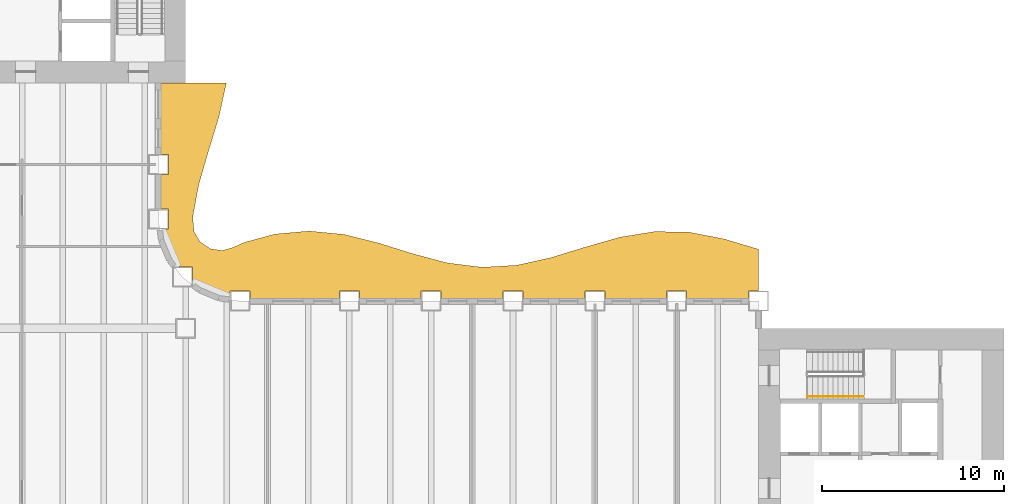
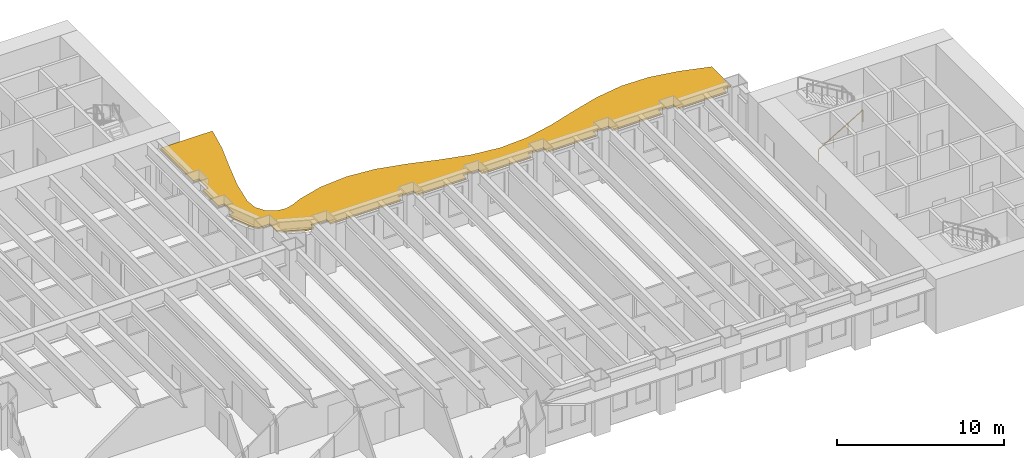
# One storey, part 15 of 17: 1 railing, 1 shading device.
"""IFC4 building model written with IfcOpenShell, lengths in metres."""

from ifc_helpers import new_model, si_unit, direction, frame, origin, origin_2d, place, context, subcontext, project, spatial, polyline, rectangle, outline, extrude, material, layer, layer_set, type_object, element, save


model = new_model("IFC4")

# Units and contexts
model_context = context("Model", 3, precision=1e-05, world=origin(), true_north=direction((0.0, 1.0)))
body_context = subcontext(model_context, "Body", "Model", "MODEL_VIEW")
ifc_project = project(units=[si_unit("LENGTHUNIT", "METRE"), si_unit("AREAUNIT", "SQUARE_METRE"), si_unit("VOLUMEUNIT", "CUBIC_METRE"), si_unit("PLANEANGLEUNIT", "RADIAN"), si_unit("MASSUNIT", "GRAM", prefix="KILO")], contexts=[model_context])

# Site, building, storey
site_placement = place(None, origin())
site = spatial("IfcSite", under=ifc_project, at=site_placement, CompositionType="ELEMENT")
building_placement = place(site_placement, origin())
building = spatial("IfcBuilding", under=site, at=building_placement, Name="Sennacour Bend Tower", CompositionType="ELEMENT")
storey_placement = place(building_placement, frame((0.0, 0.0, 49.0)))
storey = spatial("IfcBuildingStorey", under=building, at=storey_placement, Name="L10", CompositionType="ELEMENT", Elevation=49.0)

# Railing
ifc_material_1 = material(Name="Stainless steel", Category="steel")
railing_type = type_object("IfcRailingType", Name="RL-HANDRAIL-900", PredefinedType="HANDRAIL", material=ifc_material_1)
railing_placement = place(storey_placement, frame((56.699951171875, 18.75, 0.166748046875)))
element("IfcRailing", 1, at=railing_placement, inside=storey, type_object=railing_type, Name="L10 SA2 stair handrail 1", PredefinedType="HANDRAIL", context=body_context, shape_type="SweptSolid", body=[
    extrude(rectangle(XDim=0.048095703125, YDim=0.048095703125, at=origin_2d()), frame((0.0, 0.0, 0.8759765625), z_axis=(0.859308565015, 0.0, 0.511457515432), x_axis=(0.0, 1.0, 0.0)), (0.0, 0.0, 1.0), 3.58447265625),
    extrude(rectangle(XDim=0.0419921875, YDim=0.0419921875, at=origin_2d()), origin(), (0.0, 0.0, 1.0), 0.851806640625),
    extrude(rectangle(XDim=0.0419921875, YDim=0.0419921875, at=origin_2d()), frame((1.026611328125, 0.0, 0.611083984375)), (0.0, 0.0, 1.0), 0.851806640625),
    extrude(rectangle(XDim=0.0419921875, YDim=0.0419921875, at=origin_2d()), frame((2.053466796875, 0.0, 1.22216796875)), (0.0, 0.0, 1.0), 0.851806640625),
    extrude(rectangle(XDim=0.0419921875, YDim=0.0419921875, at=origin_2d()), frame((3.080078125, 0.0, 1.833251953125)), (0.0, 0.0, 1.0), 0.851806640625),
])

# Shading device
ifc_material_2 = material(Name="Bronze anodised aluminium", Category="aluminium")
ifc_layer = layer(ifc_material_2, 0.1201171875, Name="Bronze anodised aluminium", Category="aluminium")
ifc_layer_set = layer_set([ifc_layer], Name="Bronze anodised aluminium")
shading_device_type = type_object("IfcShadingDeviceType", Name="SUNSHADE BAND WAVE", PredefinedType="USERDEFINED", material=ifc_layer_set)
shading_device_placement = place(storey_placement, frame((0.0, 0.0, 3.02392578125)))
element("IfcShadingDevice", 2, at=shading_device_placement, inside=storey, type_object=shading_device_type, Name="Sunshade band L10 concave faces", ObjectType="SUNSHADE", PredefinedType="USERDEFINED", context=body_context, shape_type="SweptSolid", body=[
    extrude(outline(polyline([(53.449951171875, 24.14990234375), (50.050048828125, 24.14990234375), (50.050048828125, 24.550048828125), (48.949951171875, 24.550048828125), (48.949951171875, 24.14990234375), (45.550048828125, 24.14990234375), (45.550048828125, 24.550048828125), (44.449951171875, 24.550048828125), (44.449951171875, 24.14990234375), (41.050048828125, 24.14990234375), (41.050048828125, 24.550048828125), (39.949951171875, 24.550048828125), (39.949951171875, 24.14990234375), (36.550048828125, 24.14990234375), (36.550048828125, 24.550048828125), (35.449951171875, 24.550048828125), (35.449951171875, 24.14990234375), (32.050048828125, 24.14990234375), (32.050048828125, 24.550048828125), (30.949951171875, 24.550048828125), (30.949951171875, 24.14990234375), (26.050048828125, 24.14990234375), (26.050048828125, 24.550048828125), (24.949951171875, 24.550048828125), (24.949951171875, 24.2236328125), (24.37451171875, 24.299560546875), (23.32568359375, 24.73388671875), (22.8681640625, 25.0849609375), (22.8681640625, 25.8681640625), (22.0849609375, 25.8681640625), (21.73388671875, 26.32568359375), (21.299560546875, 27.37451171875), (21.2236328125, 27.949951171875), (21.550048828125, 27.949951171875), (21.550048828125, 29.050048828125), (21.14990234375, 29.050048828125), (21.14990234375, 30.949951171875), (21.550048828125, 30.949951171875), (21.550048828125, 32.050048828125), (21.14990234375, 32.050048828125), (21.14990234375, 36.0), (24.738525390625, 36.0), (24.328857421875, 34.125), (23.75439453125, 32.25), (23.212890625, 30.375), (22.890380859375, 28.623779296875), (22.95947265625, 27.8193359375), (23.309814453125, 27.235595703125), (23.87109375, 26.87109375), (24.50732421875, 26.78076171875), (25.081298828125, 26.937744140625), (25.711181640625, 27.2216796875), (27.39990234375, 27.6826171875), (29.300048828125, 27.849853515625), (31.199951171875, 27.66455078125), (33.10009765625, 27.19189453125), (35.0, 26.598876953125), (36.89990234375, 26.09423828125), (38.800048828125, 25.856201171875), (40.699951171875, 25.968505859375), (42.60009765625, 26.391845703125), (44.5, 26.9765625), (46.39990234375, 27.516845703125), (48.300048828125, 27.82177734375), (50.199951171875, 27.7841796875), (52.10009765625, 27.4169921875), (54.0, 26.85009765625), (54.0, 24.550048828125), (53.449951171875, 24.550048828125), (53.449951171875, 24.14990234375)])), origin(), (0.0, 0.0, 1.0), 0.1201171875),
])

save(model, "model.ifc")
